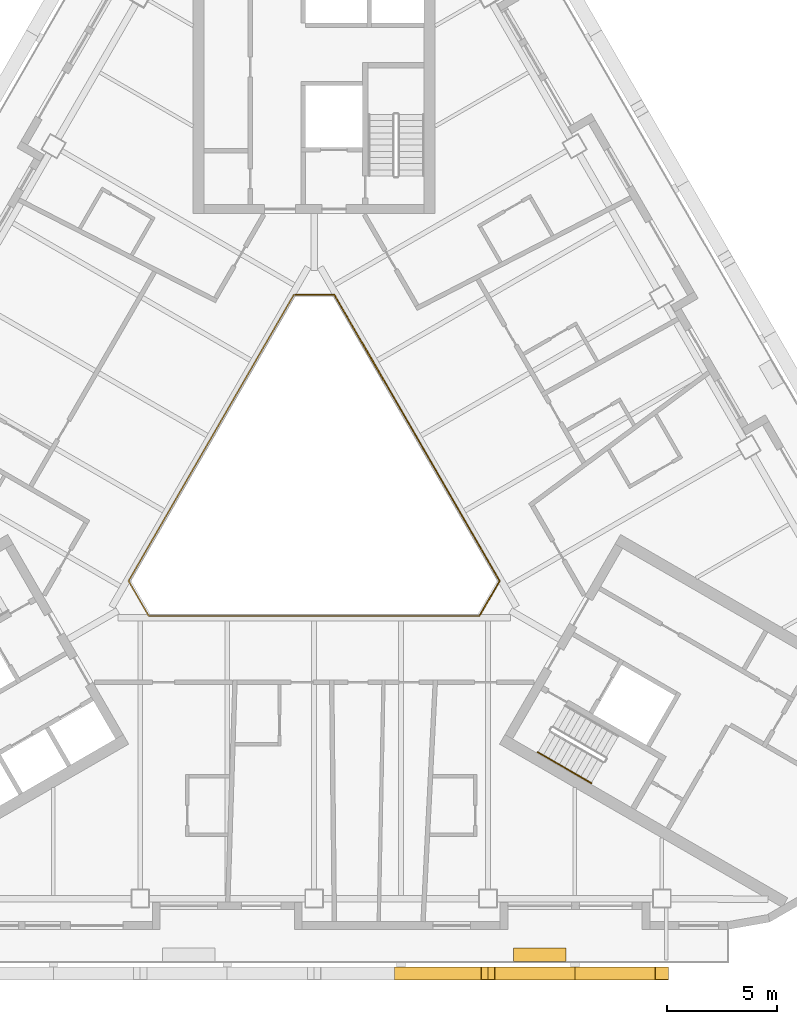
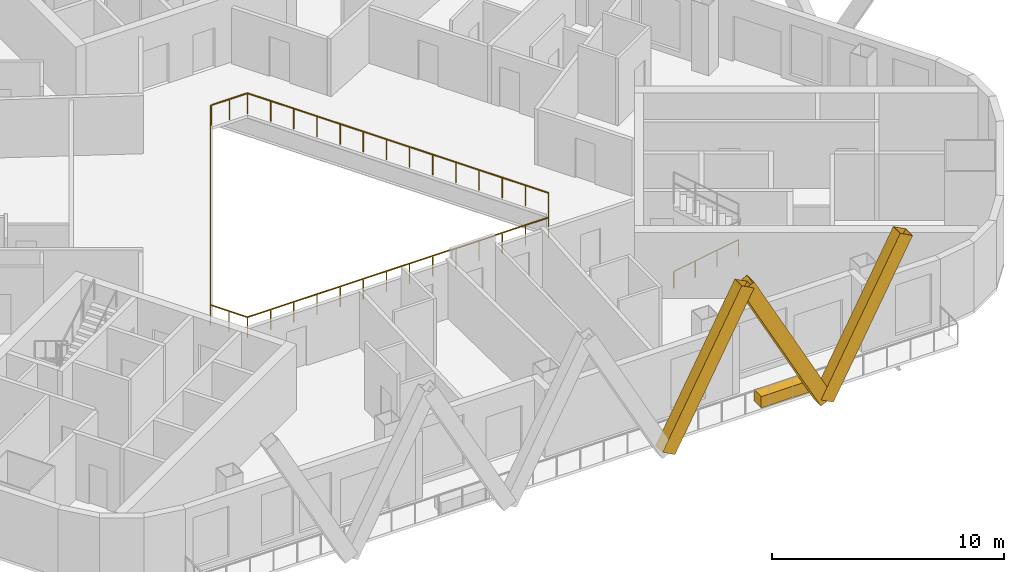
# One storey, part 11 of 14: 3 railings, 3 shading devices, 1 covering.
"""IFC4 building model written with IfcOpenShell, lengths in metres."""

from ifc_helpers import new_model, si_unit, direction, frame, origin, origin_2d, place, context, subcontext, project, spatial, rectangle, hollow_rectangle, circle, extrude, material, material_profile, profile_set, type_object, element, save


model = new_model("IFC4")

# Units and contexts
model_context = context("Model", 3, precision=1e-05, world=origin(), true_north=direction((0.0, 1.0)))
body_context = subcontext(model_context, "Body", "Model", "MODEL_VIEW")
ifc_project = project(units=[si_unit("LENGTHUNIT", "METRE"), si_unit("AREAUNIT", "SQUARE_METRE"), si_unit("VOLUMEUNIT", "CUBIC_METRE"), si_unit("PLANEANGLEUNIT", "RADIAN"), si_unit("MASSUNIT", "GRAM", prefix="KILO")], contexts=[model_context])

# Site, building, storey
site_placement = place(None, origin())
site = spatial("IfcSite", under=ifc_project, at=site_placement, CompositionType="ELEMENT")
building_placement = place(site_placement, origin())
building = spatial("IfcBuilding", under=site, at=building_placement, Name="Apuvela Tower Hotel", CompositionType="ELEMENT")
storey_placement = place(building_placement, frame((0.0, 0.0, 168.800048828125)))
storey = spatial("IfcBuildingStorey", under=building, at=storey_placement, Name="L40", CompositionType="ELEMENT", Elevation=168.800048828125)

# Railing
ifc_material_1 = material(Name="Stainless steel 316 handrail", Category="steel")
railing_type_1 = type_object("IfcRailingType", Name="COR-HANDRAIL-900", PredefinedType="HANDRAIL", material=ifc_material_1)
railing_1_placement = place(storey_placement, frame((10.1689453125, -11.5869140625, 0.168212890625)))
element("IfcRailing", 1, at=railing_1_placement, inside=storey, type_object=railing_type_1, Name="L40 ST3 stair handrail 1", PredefinedType="HANDRAIL", context=body_context, shape_type="SweptSolid", body=[
    extrude(circle(Radius=0.02392578125, at=origin_2d()), frame((0.0, 0.0, 0.8759765625), z_axis=(0.74241905619, -0.428617687091, 0.514879426), x_axis=(0.49998411664, 0.866034573852, 0.0)), (0.0, 0.0, 1.0), 3.26611328125),
    extrude(rectangle(XDim=0.0419921875, YDim=0.0419921875, at=origin_2d()), origin(), (0.0, 0.0, 1.0), 0.851806640625),
    extrude(rectangle(XDim=0.0419921875, YDim=0.0419921875, at=origin_2d()), frame((0.808349609375, -0.466552734375, 0.560546875)), (0.0, 0.0, 1.0), 0.851806640625),
    extrude(rectangle(XDim=0.0419921875, YDim=0.0419921875, at=origin_2d()), frame((1.616455078125, -0.933349609375, 1.12109375)), (0.0, 0.0, 1.0), 0.851806640625),
    extrude(rectangle(XDim=0.0419921875, YDim=0.0419921875, at=origin_2d()), frame((2.4248046875, -1.39990234375, 1.681640625)), (0.0, 0.0, 1.0), 0.851806640625),
])

# Shading devices
ifc_material_2 = material(Name="Aluminium 6063-T6, black anodised", Category="aluminium")
ifc_material_profile = material_profile(ifc_material_2, hollow_rectangle(XDim=0.60009765625, YDim=0.699951171875, WallThickness=0.011962890625, at=origin_2d()), Name="AL BOX 700x600x12")
ifc_profile_set = profile_set([ifc_material_profile], Name="Aluminium 6063-T6, black anodised")
shading_device_type = type_object("IfcShadingDeviceType", Name="ENV-FIN-700x600", PredefinedType="USERDEFINED", material=ifc_profile_set)
for number, where, z_axis, x_axis, name in (
    (2, (3.949951171875, -21.6298828125, -0.10009765625), (0.470885802113, 0.0, 0.882194174413), (0.0, 1.0, 0.0), "Lattice fin S318"),
    (3, (11.85009765625, -21.6298828125, -0.10009765625), (-0.470908452903, 0.0, 0.882182083804), (0.0, -1.0, 0.0), "Lattice fin S319"),
    (4, (11.85009765625, -21.6298828125, -0.10009765625), (0.470885802113, 0.0, 0.882194174413), (0.0, 1.0, 0.0), "Lattice fin S320"),
):
    element("IfcShadingDevice", number, at=place(storey_placement, frame(where, z_axis=z_axis, x_axis=x_axis)), inside=storey, type_object=shading_device_type, Name=name, ObjectType="FIN", PredefinedType="USERDEFINED", context=body_context, shape_type="SweptSolid", body=[
        extrude(hollow_rectangle(XDim=0.60009765625, YDim=0.699951171875, WallThickness=0.011962890625, at=origin_2d()), origin(), (0.0, 0.0, 1.0), 8.388427734375),
    ])

# Railings
ifc_material_3 = material(Name="Stainless steel 316 rail with laminated glass infill", Category="steel")
railing_type_2 = type_object("IfcRailingType", Name="ENV-GUARD-1100", PredefinedType="GUARDRAIL", material=ifc_material_3)
railing_2_placement = place(storey_placement, frame((-0.923828125, 9.199951171875, 0.0)))
element("IfcRailing", 5, at=railing_2_placement, inside=storey, type_object=railing_type_2, Name="Atrium void guard A L40", PredefinedType="GUARDRAIL", context=body_context, shape_type="SweptSolid", body=[
    extrude(rectangle(XDim=0.050048828125, YDim=0.050048828125, at=origin_2d()), frame((0.0, 0.0, 1.0751953125), z_axis=(-0.499990886379, -0.866030665472, 0.0), x_axis=(0.866030665472, -0.499990886379, 0.0)), (0.0, 0.0, 1.0), 15.010986328125),
    extrude(rectangle(XDim=0.050048828125, YDim=0.050048828125, at=origin_2d()), frame((-7.50537109375, -13.0, 1.0751953125), z_axis=(0.499962699187, -0.866046938348, 0.0), x_axis=(0.866046938348, 0.499962699187, 0.0)), (0.0, 0.0, 1.0), 1.847412109375),
    extrude(rectangle(XDim=0.050048828125, YDim=0.050048828125, at=origin_2d()), frame((-6.581787109375, -14.599853515625, 1.0751953125), z_axis=(1.0, 0.0, 0.0), x_axis=(0.0, 1.0, 0.0)), (0.0, 0.0, 1.0), 15.01123046875),
    extrude(rectangle(XDim=0.0400390625, YDim=0.0400390625, at=origin_2d()), origin(), (0.0, 0.0, 1.0), 1.050048828125),
    extrude(rectangle(XDim=0.0400390625, YDim=0.0400390625, at=origin_2d()), frame((-0.577392578125, -1.0, 0.0)), (0.0, 0.0, 1.0), 1.050048828125),
    extrude(rectangle(XDim=0.0400390625, YDim=0.0400390625, at=origin_2d()), frame((-1.15478515625, -2.0, 0.0)), (0.0, 0.0, 1.0), 1.050048828125),
    extrude(rectangle(XDim=0.0400390625, YDim=0.0400390625, at=origin_2d()), frame((-1.73193359375, -3.0, 0.0)), (0.0, 0.0, 1.0), 1.050048828125),
    extrude(rectangle(XDim=0.0400390625, YDim=0.0400390625, at=origin_2d()), frame((-2.309326171875, -4.0, 0.0)), (0.0, 0.0, 1.0), 1.050048828125),
    extrude(rectangle(XDim=0.0400390625, YDim=0.0400390625, at=origin_2d()), frame((-2.88671875, -5.0, 0.0)), (0.0, 0.0, 1.0), 1.050048828125),
    extrude(rectangle(XDim=0.0400390625, YDim=0.0400390625, at=origin_2d()), frame((-3.464111328125, -6.0, 0.0)), (0.0, 0.0, 1.0), 1.050048828125),
    extrude(rectangle(XDim=0.0400390625, YDim=0.0400390625, at=origin_2d()), frame((-4.041259765625, -7.0, 0.0)), (0.0, 0.0, 1.0), 1.050048828125),
    extrude(rectangle(XDim=0.0400390625, YDim=0.0400390625, at=origin_2d()), frame((-4.61865234375, -8.0, 0.0)), (0.0, 0.0, 1.0), 1.050048828125),
    extrude(rectangle(XDim=0.0400390625, YDim=0.0400390625, at=origin_2d()), frame((-5.196044921875, -9.0, 0.0)), (0.0, 0.0, 1.0), 1.050048828125),
    extrude(rectangle(XDim=0.0400390625, YDim=0.0400390625, at=origin_2d()), frame((-5.7734375, -10.0, 0.0)), (0.0, 0.0, 1.0), 1.050048828125),
    extrude(rectangle(XDim=0.0400390625, YDim=0.0400390625, at=origin_2d()), frame((-6.3505859375, -11.0, 0.0)), (0.0, 0.0, 1.0), 1.050048828125),
    extrude(rectangle(XDim=0.0400390625, YDim=0.0400390625, at=origin_2d()), frame((-6.927978515625, -12.0, 0.0)), (0.0, 0.0, 1.0), 1.050048828125),
    extrude(rectangle(XDim=0.0400390625, YDim=0.0400390625, at=origin_2d()), frame((-7.50537109375, -13.0, 0.0)), (0.0, 0.0, 1.0), 1.050048828125),
    extrude(rectangle(XDim=0.0400390625, YDim=0.0400390625, at=origin_2d()), frame((-7.04345703125, -13.7998046875, 0.0)), (0.0, 0.0, 1.0), 1.050048828125),
    extrude(rectangle(XDim=0.0400390625, YDim=0.0400390625, at=origin_2d()), frame((-6.581787109375, -14.599853515625, 0.0)), (0.0, 0.0, 1.0), 1.050048828125),
    extrude(rectangle(XDim=0.0400390625, YDim=0.0400390625, at=origin_2d()), frame((-5.427001953125, -14.599853515625, 0.0)), (0.0, 0.0, 1.0), 1.050048828125),
    extrude(rectangle(XDim=0.0400390625, YDim=0.0400390625, at=origin_2d()), frame((-4.2724609375, -14.599853515625, 0.0)), (0.0, 0.0, 1.0), 1.050048828125),
    extrude(rectangle(XDim=0.0400390625, YDim=0.0400390625, at=origin_2d()), frame((-3.11767578125, -14.599853515625, 0.0)), (0.0, 0.0, 1.0), 1.050048828125),
    extrude(rectangle(XDim=0.0400390625, YDim=0.0400390625, at=origin_2d()), frame((-1.962890625, -14.599853515625, 0.0)), (0.0, 0.0, 1.0), 1.050048828125),
    extrude(rectangle(XDim=0.0400390625, YDim=0.0400390625, at=origin_2d()), frame((-0.808349609375, -14.599853515625, 0.0)), (0.0, 0.0, 1.0), 1.050048828125),
    extrude(rectangle(XDim=0.0400390625, YDim=0.0400390625, at=origin_2d()), frame((0.346435546875, -14.599853515625, 0.0)), (0.0, 0.0, 1.0), 1.050048828125),
    extrude(rectangle(XDim=0.0400390625, YDim=0.0400390625, at=origin_2d()), frame((1.501220703125, -14.599853515625, 0.0)), (0.0, 0.0, 1.0), 1.050048828125),
    extrude(rectangle(XDim=0.0400390625, YDim=0.0400390625, at=origin_2d()), frame((2.656005859375, -14.599853515625, 0.0)), (0.0, 0.0, 1.0), 1.050048828125),
    extrude(rectangle(XDim=0.0400390625, YDim=0.0400390625, at=origin_2d()), frame((3.810546875, -14.599853515625, 0.0)), (0.0, 0.0, 1.0), 1.050048828125),
    extrude(rectangle(XDim=0.0400390625, YDim=0.0400390625, at=origin_2d()), frame((4.96533203125, -14.599853515625, 0.0)), (0.0, 0.0, 1.0), 1.050048828125),
    extrude(rectangle(XDim=0.0400390625, YDim=0.0400390625, at=origin_2d()), frame((6.1201171875, -14.599853515625, 0.0)), (0.0, 0.0, 1.0), 1.050048828125),
    extrude(rectangle(XDim=0.0400390625, YDim=0.0400390625, at=origin_2d()), frame((7.274658203125, -14.599853515625, 0.0)), (0.0, 0.0, 1.0), 1.050048828125),
    extrude(rectangle(XDim=0.0400390625, YDim=0.0400390625, at=origin_2d()), frame((8.429443359375, -14.599853515625, 0.0)), (0.0, 0.0, 1.0), 1.050048828125),
])
railing_3_placement = place(storey_placement, frame((7.53564453125, -5.347900390625, 0.0)))
element("IfcRailing", 6, at=railing_3_placement, inside=storey, type_object=railing_type_2, Name="Atrium void guard B L40", PredefinedType="GUARDRAIL", context=body_context, shape_type="SweptSolid", body=[
    extrude(rectangle(XDim=0.050048828125, YDim=0.050048828125, at=origin_2d()), frame((0.0, 0.0, 1.0751953125), z_axis=(0.499958946799, 0.866049104564, 0.0), x_axis=(-0.866049104564, 0.499958946799, 0.0)), (0.0, 0.0, 1.0), 1.787353515625),
    extrude(rectangle(XDim=0.050048828125, YDim=0.050048828125, at=origin_2d()), frame((0.8935546875, 1.5478515625, 1.0751953125), z_axis=(-0.499990886379, 0.866030665472, 0.0), x_axis=(-0.866030665472, -0.499990886379, 0.0)), (0.0, 0.0, 1.0), 15.010986328125),
    extrude(rectangle(XDim=0.050048828125, YDim=0.050048828125, at=origin_2d()), frame((-6.61181640625, 14.5478515625, 1.0751953125), z_axis=(-1.0, 0.0, 0.0), x_axis=(0.0, -1.0, 0.0)), (0.0, 0.0, 1.0), 1.78759765625),
    extrude(rectangle(XDim=0.0400390625, YDim=0.0400390625, at=origin_2d()), origin(), (0.0, 0.0, 1.0), 1.050048828125),
    extrude(rectangle(XDim=0.0400390625, YDim=0.0400390625, at=origin_2d()), frame((0.44677734375, 0.77392578125, 0.0)), (0.0, 0.0, 1.0), 1.050048828125),
    extrude(rectangle(XDim=0.0400390625, YDim=0.0400390625, at=origin_2d()), frame((0.8935546875, 1.5478515625, 0.0)), (0.0, 0.0, 1.0), 1.050048828125),
    extrude(rectangle(XDim=0.0400390625, YDim=0.0400390625, at=origin_2d()), frame((0.316162109375, 2.5478515625, 0.0)), (0.0, 0.0, 1.0), 1.050048828125),
    extrude(rectangle(XDim=0.0400390625, YDim=0.0400390625, at=origin_2d()), frame((-0.26123046875, 3.5478515625, 0.0)), (0.0, 0.0, 1.0), 1.050048828125),
    extrude(rectangle(XDim=0.0400390625, YDim=0.0400390625, at=origin_2d()), frame((-0.83837890625, 4.5478515625, 0.0)), (0.0, 0.0, 1.0), 1.050048828125),
    extrude(rectangle(XDim=0.0400390625, YDim=0.0400390625, at=origin_2d()), frame((-1.415771484375, 5.5478515625, 0.0)), (0.0, 0.0, 1.0), 1.050048828125),
    extrude(rectangle(XDim=0.0400390625, YDim=0.0400390625, at=origin_2d()), frame((-1.9931640625, 6.5478515625, 0.0)), (0.0, 0.0, 1.0), 1.050048828125),
    extrude(rectangle(XDim=0.0400390625, YDim=0.0400390625, at=origin_2d()), frame((-2.570556640625, 7.5478515625, 0.0)), (0.0, 0.0, 1.0), 1.050048828125),
    extrude(rectangle(XDim=0.0400390625, YDim=0.0400390625, at=origin_2d()), frame((-3.147705078125, 8.5478515625, 0.0)), (0.0, 0.0, 1.0), 1.050048828125),
    extrude(rectangle(XDim=0.0400390625, YDim=0.0400390625, at=origin_2d()), frame((-3.72509765625, 9.5478515625, 0.0)), (0.0, 0.0, 1.0), 1.050048828125),
    extrude(rectangle(XDim=0.0400390625, YDim=0.0400390625, at=origin_2d()), frame((-4.302490234375, 10.5478515625, 0.0)), (0.0, 0.0, 1.0), 1.050048828125),
    extrude(rectangle(XDim=0.0400390625, YDim=0.0400390625, at=origin_2d()), frame((-4.8798828125, 11.5478515625, 0.0)), (0.0, 0.0, 1.0), 1.050048828125),
    extrude(rectangle(XDim=0.0400390625, YDim=0.0400390625, at=origin_2d()), frame((-5.45703125, 12.5478515625, 0.0)), (0.0, 0.0, 1.0), 1.050048828125),
    extrude(rectangle(XDim=0.0400390625, YDim=0.0400390625, at=origin_2d()), frame((-6.034423828125, 13.5478515625, 0.0)), (0.0, 0.0, 1.0), 1.050048828125),
    extrude(rectangle(XDim=0.0400390625, YDim=0.0400390625, at=origin_2d()), frame((-6.61181640625, 14.5478515625, 0.0)), (0.0, 0.0, 1.0), 1.050048828125),
    extrude(rectangle(XDim=0.0400390625, YDim=0.0400390625, at=origin_2d()), frame((-7.505615234375, 14.5478515625, 0.0)), (0.0, 0.0, 1.0), 1.050048828125),
    extrude(rectangle(XDim=0.0400390625, YDim=0.0400390625, at=origin_2d()), frame((-8.3994140625, 14.5478515625, 0.0)), (0.0, 0.0, 1.0), 1.050048828125),
])

# Covering
ifc_material_4 = material(Name="Planting substrate and soil, planted")
covering_type = type_object("IfcCoveringType", Name="ENV-PLANTER-2400x600", PredefinedType="USERDEFINED", material=ifc_material_4)
covering_placement = place(storey_placement, frame((10.250244140625, -20.780029296875, 0.0), z_axis=(0.0, 0.0, 1.0), x_axis=(1.0, 0.0, 0.0)))
element("IfcCovering", 7, at=covering_placement, inside=storey, type_object=covering_type, Name="Planter S2", ObjectType="PLANTER", PredefinedType="USERDEFINED", context=body_context, shape_type="SweptSolid", body=[
    extrude(rectangle(XDim=2.39990234375, YDim=0.60009765625, at=origin_2d()), origin(), (0.0, 0.0, 1.0), 0.60009765625),
])

save(model, "model.ifc")
